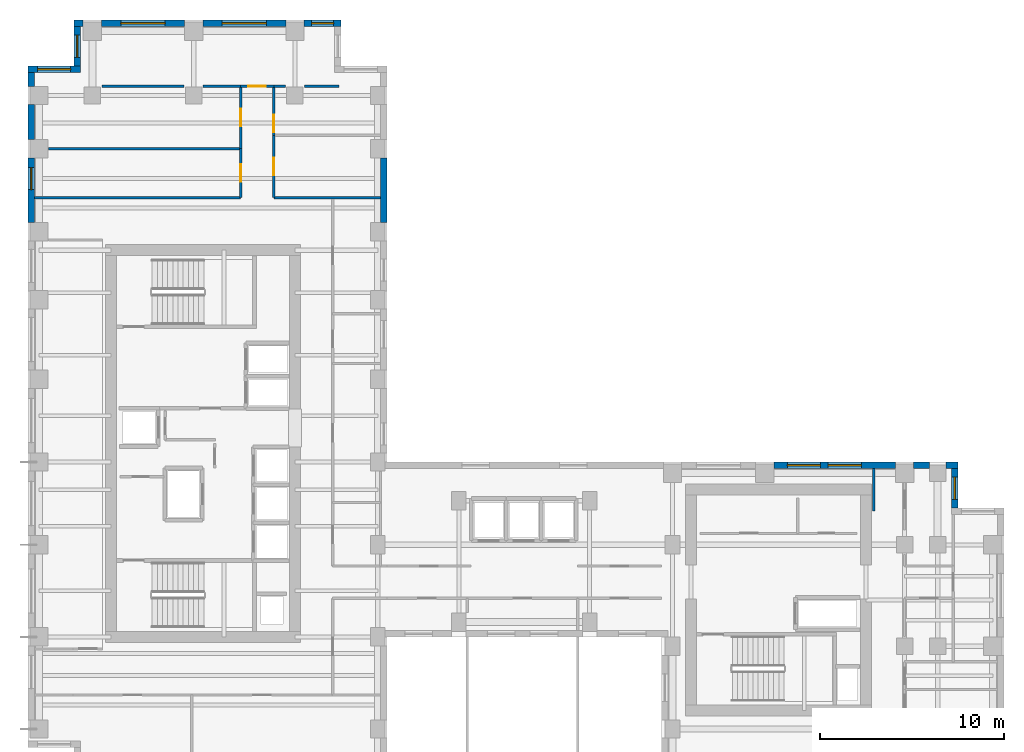
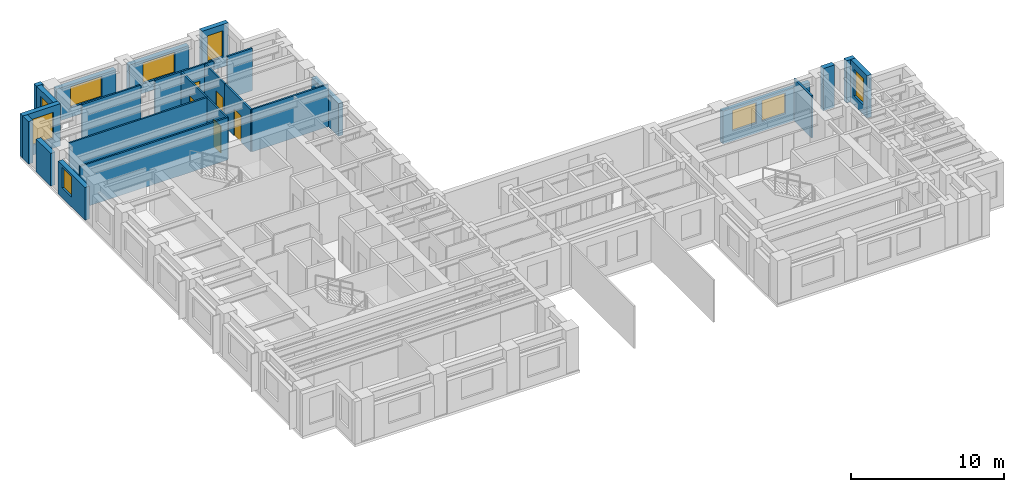
# One storey, part 8 of 11: 27 walls, 9 windows, 5 doors, 14 openings.
"""IFC4 building model written with IfcOpenShell, lengths in metres."""

from ifc_helpers import new_model, si_unit, direction, frame, frame_2d, origin, place, context, subcontext, project, spatial, rectangle, extrude, source, transform, mapped, material, layer, layer_set, type_object, element, fill, save


model = new_model("IFC4")

# Units and contexts
model_context = context("Model", 3, precision=1e-05, world=origin(), true_north=direction((0.0, 1.0)))
body_context = subcontext(model_context, "Body", "Model", "MODEL_VIEW")
ifc_project = project(units=[si_unit("LENGTHUNIT", "METRE"), si_unit("AREAUNIT", "SQUARE_METRE"), si_unit("VOLUMEUNIT", "CUBIC_METRE"), si_unit("PLANEANGLEUNIT", "RADIAN"), si_unit("MASSUNIT", "GRAM", prefix="KILO")], contexts=[model_context])

# Site, building, storey
site_placement = place(None, origin())
site = spatial("IfcSite", under=ifc_project, at=site_placement, CompositionType="ELEMENT")
building_placement = place(site_placement, origin())
building = spatial("IfcBuilding", under=site, at=building_placement, Name="Kharzan Plaza Tower", CompositionType="ELEMENT")
storey_placement = place(building_placement, frame((0.0, 0.0, 186.300048828125)))
storey = spatial("IfcBuildingStorey", under=building, at=storey_placement, Name="L50", CompositionType="ELEMENT", Elevation=186.300048828125)

# Wall, opening, window
ifc_material_1 = material(Name="Concrete C40/50", Category="concrete")
ifc_layer_1 = layer(ifc_material_1, 0.35009765625)
ifc_layer_set_1 = layer_set([ifc_layer_1], Name="Concrete C40/50")
wall_type_1 = type_object("IfcWallType", Name="WL-EXT-MAS-Z3", PredefinedType="SOLIDWALL", material=ifc_layer_set_1)
wall_1_placement = place(storey_placement, frame((17.0, 41.824951171875, 0.0), z_axis=(0.0, 0.0, 1.0), x_axis=(-1.0, 0.0, 0.0)))
wall_1 = element("IfcWall", 1, at=wall_1_placement, inside=storey, type_object=wall_type_1, Name="L50 Masonry-Frame Exterior Wall 03", PredefinedType="SOLIDWALL", context=body_context, shape_type="SweptSolid", body=[
    extrude(rectangle(XDim=2.001953125, YDim=0.35009765625, at=frame_2d((1.0009765625, 0.0))), origin(), (0.0, 0.0, 1.0), 3.385009765625),
])
opening_1_placement = place(wall_1_placement, frame((0.40087890625, 0.0, 0.780029296875)))
opening_1 = element("IfcOpeningElement", 2, at=opening_1_placement, cuts=wall_1, Name="Opening W3", PredefinedType="OPENING", context=body_context, shape_type="SweptSolid", body=[
    extrude(rectangle(XDim=1.199951171875, YDim=2.10009765625, at=frame_2d((0.60009765625, 1.050048828125))), frame((0.0, 0.18505859375, 0.0), z_axis=(0.0, -1.0, 0.0), x_axis=(1.0, 0.0, 0.0)), (0.0, 0.0, 1.0), 0.3701171875),
])
ifc_material_2 = material(Name="Low-E Double Glazing", Category="glass")
window_type_1 = type_object("IfcWindowType", Name="WN-REC-1200x2100", PartitioningType="SINGLE_PANEL", PredefinedType="WINDOW", material=ifc_material_2)
shared_shape_1 = source(origin(), body_context, "Body", "SweptSolid", [
    extrude(rectangle(XDim=1.199951171875, YDim=2.10009765625, at=frame_2d((0.60009765625, 1.050048828125))), frame((0.0, 0.030029296875, 0.0), z_axis=(0.0, -1.0, 0.0), x_axis=(1.0, 0.0, 0.0)), (0.0, 0.0, 1.0), 0.06005859375),
])
window_1_placement = place(opening_1_placement, origin())
window_1 = element("IfcWindow", 3, at=window_1_placement, inside=storey, type_object=window_type_1, Name="L50 Recessed Solar-Control Window 03-1", OverallHeight=2.10009765625, OverallWidth=1.199951171875, PartitioningType="SINGLE_PANEL", PredefinedType="WINDOW", context=body_context, shape_type="MappedRepresentation", body=[
    mapped(shared_shape_1, transform((0.0, 0.0, 0.0), x_axis=(1.0, 0.0, 0.0), y_axis=(0.0, 1.0, 0.0), z_axis=(0.0, 0.0, 1.0))),
])
fill(opening_1, window_1)

wall_2_placement = place(storey_placement, frame((14.001953125, 41.824951171875, 0.0), z_axis=(0.0, 0.0, 1.0), x_axis=(-1.0, 0.0, 0.0)))
wall_2 = element("IfcWall", 4, at=wall_2_placement, inside=storey, type_object=wall_type_1, Name="L50 Masonry-Frame Exterior Wall 04", PredefinedType="SOLIDWALL", context=body_context, shape_type="SweptSolid", body=[
    extrude(rectangle(XDim=4.50390625, YDim=0.35009765625, at=frame_2d((2.251953125, 0.0))), origin(), (0.0, 0.0, 1.0), 2.612060546875),
])
opening_2_placement = place(wall_2_placement, frame((1.052001953125, 0.0, 0.780029296875)))
opening_2 = element("IfcOpeningElement", 5, at=opening_2_placement, cuts=wall_2, Name="Opening W2", PredefinedType="OPENING", context=body_context, shape_type="SweptSolid", body=[
    extrude(rectangle(XDim=2.39990234375, YDim=1.652099609375, at=frame_2d((1.199951171875, 0.826171875))), frame((0.0, 0.18505859375, 0.0), z_axis=(0.0, -1.0, 0.0), x_axis=(1.0, 0.0, 0.0)), (0.0, 0.0, 1.0), 0.3701171875),
])
window_type_2 = type_object("IfcWindowType", Name="WN-REC-2400x2100", PartitioningType="SINGLE_PANEL", PredefinedType="WINDOW", material=ifc_material_2)
shared_shape_2 = source(origin(), body_context, "Body", "SweptSolid", [
    extrude(rectangle(XDim=2.39990234375, YDim=1.652099609375, at=frame_2d((1.199951171875, 0.826171875))), frame((0.0, 0.030029296875, 0.0), z_axis=(0.0, -1.0, 0.0), x_axis=(1.0, 0.0, 0.0)), (0.0, 0.0, 1.0), 0.06005859375),
])
window_2_placement = place(opening_2_placement, origin())
window_2 = element("IfcWindow", 6, at=window_2_placement, inside=storey, type_object=window_type_2, Name="L50 Wide Recessed Solar-Control Window 04-1", OverallHeight=1.652099609375, OverallWidth=2.39990234375, PartitioningType="SINGLE_PANEL", PredefinedType="WINDOW", context=body_context, shape_type="MappedRepresentation", body=[
    mapped(shared_shape_2, transform((0.0, 0.0, 0.0), x_axis=(1.0, 0.0, 0.0), y_axis=(0.0, 1.0, 0.0), z_axis=(0.0, 0.0, 1.0))),
])
fill(opening_2, window_2)

wall_3_placement = place(storey_placement, frame((8.501953125, 41.824951171875, 0.0), z_axis=(0.0, 0.0, 1.0), x_axis=(-1.0, 0.0, 0.0)))
wall_3 = element("IfcWall", 7, at=wall_3_placement, inside=storey, type_object=wall_type_1, Name="L50 Masonry-Frame Exterior Wall 05", PredefinedType="SOLIDWALL", context=body_context, shape_type="SweptSolid", body=[
    extrude(rectangle(XDim=4.50390625, YDim=0.35009765625, at=frame_2d((2.251953125, 0.0))), origin(), (0.0, 0.0, 1.0), 2.612060546875),
])
opening_3_placement = place(wall_3_placement, frame((1.052001953125, 0.0, 0.780029296875)))
opening_3 = element("IfcOpeningElement", 8, at=opening_3_placement, cuts=wall_3, Name="Opening W2", PredefinedType="OPENING", context=body_context, shape_type="SweptSolid", body=[
    extrude(rectangle(XDim=2.39990234375, YDim=1.652099609375, at=frame_2d((1.199951171875, 0.826171875))), frame((0.0, 0.18505859375, 0.0), z_axis=(0.0, -1.0, 0.0), x_axis=(1.0, 0.0, 0.0)), (0.0, 0.0, 1.0), 0.3701171875),
])
window_3_placement = place(opening_3_placement, origin())
window_3 = element("IfcWindow", 9, at=window_3_placement, inside=storey, type_object=window_type_2, Name="L50 Wide Recessed Solar-Control Window 05-1", OverallHeight=1.652099609375, OverallWidth=2.39990234375, PartitioningType="SINGLE_PANEL", PredefinedType="WINDOW", context=body_context, shape_type="MappedRepresentation", body=[
    mapped(shared_shape_2, transform((0.0, 0.0, 0.0), x_axis=(1.0, 0.0, 0.0), y_axis=(0.0, 1.0, 0.0), z_axis=(0.0, 0.0, 1.0))),
])
fill(opening_3, window_3)

wall_4_placement = place(storey_placement, frame((2.675048828125, 41.652099609375, 0.0), z_axis=(0.0, 0.0, 1.0), x_axis=(0.0, -1.0, 0.0)))
wall_4 = element("IfcWall", 10, at=wall_4_placement, inside=storey, type_object=wall_type_1, Name="L50 Masonry-Frame Exterior Wall 07", PredefinedType="SOLIDWALL", context=body_context, shape_type="SweptSolid", body=[
    extrude(rectangle(XDim=2.154052734375, YDim=0.35009765625, at=frame_2d((1.0771484375, 0.0))), origin(), (0.0, 0.0, 1.0), 3.385009765625),
])
opening_4_placement = place(wall_4_placement, frame((0.47705078125, 0.0, 0.780029296875)))
opening_4 = element("IfcOpeningElement", 11, at=opening_4_placement, cuts=wall_4, Name="Opening W3", PredefinedType="OPENING", context=body_context, shape_type="SweptSolid", body=[
    extrude(rectangle(XDim=1.199951171875, YDim=2.10009765625, at=frame_2d((0.60009765625, 1.050048828125))), frame((0.0, 0.18505859375, 0.0), z_axis=(0.0, -1.0, 0.0), x_axis=(1.0, 0.0, 0.0)), (0.0, 0.0, 1.0), 0.3701171875),
])
window_4_placement = place(opening_4_placement, origin())
window_4 = element("IfcWindow", 12, at=window_4_placement, inside=storey, type_object=window_type_1, Name="L50 Recessed Solar-Control Window 07-1", OverallHeight=2.10009765625, OverallWidth=1.199951171875, PartitioningType="SINGLE_PANEL", PredefinedType="WINDOW", context=body_context, shape_type="MappedRepresentation", body=[
    mapped(shared_shape_1, transform((0.0, 0.0, 0.0), x_axis=(1.0, 0.0, 0.0), y_axis=(0.0, 1.0, 0.0), z_axis=(0.0, 0.0, 1.0))),
])
fill(opening_4, window_4)

wall_5_placement = place(storey_placement, frame((2.85009765625, 39.324951171875, 0.0), z_axis=(0.0, 0.0, 1.0), x_axis=(-1.0, 0.0, 0.0)))
wall_5 = element("IfcWall", 13, at=wall_5_placement, inside=storey, type_object=wall_type_1, Name="L50 Masonry-Frame Exterior Wall 08", PredefinedType="SOLIDWALL", context=body_context, shape_type="SweptSolid", body=[
    extrude(rectangle(XDim=2.85009765625, YDim=0.35009765625, at=frame_2d((1.425048828125, 0.0))), origin(), (0.0, 0.0, 1.0), 3.385009765625),
])
opening_5_placement = place(wall_5_placement, frame((0.52490234375, 0.0, 0.780029296875)))
opening_5 = element("IfcOpeningElement", 14, at=opening_5_placement, cuts=wall_5, Name="Opening W1", PredefinedType="OPENING", context=body_context, shape_type="SweptSolid", body=[
    extrude(rectangle(XDim=1.800048828125, YDim=2.10009765625, at=frame_2d((0.89990234375, 1.050048828125))), frame((0.0, 0.18505859375, 0.0), z_axis=(0.0, -1.0, 0.0), x_axis=(1.0, 0.0, 0.0)), (0.0, 0.0, 1.0), 0.3701171875),
])
window_type_3 = type_object("IfcWindowType", Name="WN-REC-1800x2100", PartitioningType="SINGLE_PANEL", PredefinedType="WINDOW", material=ifc_material_2)
shared_shape_3 = source(origin(), body_context, "Body", "SweptSolid", [
    extrude(rectangle(XDim=1.800048828125, YDim=2.10009765625, at=frame_2d((0.89990234375, 1.050048828125))), frame((0.0, 0.030029296875, 0.0), z_axis=(0.0, -1.0, 0.0), x_axis=(1.0, 0.0, 0.0)), (0.0, 0.0, 1.0), 0.06005859375),
])
window_5_placement = place(opening_5_placement, origin())
window_5 = element("IfcWindow", 15, at=window_5_placement, inside=storey, type_object=window_type_3, Name="L50 Recessed Solar-Control Window 08-1", OverallHeight=2.10009765625, OverallWidth=1.800048828125, PartitioningType="SINGLE_PANEL", PredefinedType="WINDOW", context=body_context, shape_type="MappedRepresentation", body=[
    mapped(shared_shape_3, transform((0.0, 0.0, 0.0), x_axis=(1.0, 0.0, 0.0), y_axis=(0.0, 1.0, 0.0), z_axis=(0.0, 0.0, 1.0))),
])
fill(opening_5, window_5)

wall_6_placement = place(storey_placement, frame((0.175048828125, 34.501953125, 0.0), z_axis=(0.0, 0.0, 1.0), x_axis=(0.0, -1.0, 0.0)))
wall_6 = element("IfcWall", 16, at=wall_6_placement, inside=storey, type_object=wall_type_1, Name="L50 Masonry-Frame Exterior Wall 11", PredefinedType="SOLIDWALL", context=body_context, shape_type="SweptSolid", body=[
    extrude(rectangle(XDim=3.50390625, YDim=0.35009765625, at=frame_2d((1.751953125, 0.0))), origin(), (0.0, 0.0, 1.0), 2.612060546875),
])
opening_6_placement = place(wall_6_placement, frame((0.510986328125, 0.0, 0.780029296875)))
opening_6 = element("IfcOpeningElement", 17, at=opening_6_placement, cuts=wall_6, Name="Opening W3", PredefinedType="OPENING", context=body_context, shape_type="SweptSolid", body=[
    extrude(rectangle(XDim=1.199951171875, YDim=1.652099609375, at=frame_2d((0.60009765625, 0.826171875))), frame((0.0, 0.18505859375, 0.0), z_axis=(0.0, -1.0, 0.0), x_axis=(1.0, 0.0, 0.0)), (0.0, 0.0, 1.0), 0.3701171875),
])
shared_shape_4 = source(origin(), body_context, "Body", "SweptSolid", [
    extrude(rectangle(XDim=1.199951171875, YDim=1.652099609375, at=frame_2d((0.60009765625, 0.826171875))), frame((0.0, 0.030029296875, 0.0), z_axis=(0.0, -1.0, 0.0), x_axis=(1.0, 0.0, 0.0)), (0.0, 0.0, 1.0), 0.06005859375),
])
window_6_placement = place(opening_6_placement, origin())
window_6 = element("IfcWindow", 18, at=window_6_placement, inside=storey, type_object=window_type_1, Name="L50 Recessed Solar-Control Window 11-1", OverallHeight=1.652099609375, OverallWidth=1.199951171875, PartitioningType="SINGLE_PANEL", PredefinedType="WINDOW", context=body_context, shape_type="MappedRepresentation", body=[
    mapped(shared_shape_4, transform((0.0, 0.0, 0.0), x_axis=(1.0, 0.0, 0.0), y_axis=(0.0, 1.0, 0.0), z_axis=(0.0, 0.0, 1.0))),
])
fill(opening_6, window_6)

wall_7_placement = place(storey_placement, frame((50.324951171875, 15.498046875, 0.0), z_axis=(0.0, 0.0, 1.0), x_axis=(0.0, 1.0, 0.0)))
wall_7 = element("IfcWall", 19, at=wall_7_placement, inside=storey, type_object=wall_type_1, Name="L50 Masonry-Frame Exterior Wall 41", PredefinedType="SOLIDWALL", context=body_context, shape_type="SweptSolid", body=[
    extrude(rectangle(XDim=2.154052734375, YDim=0.35009765625, at=frame_2d((1.0771484375, 0.0))), origin(), (0.0, 0.0, 1.0), 3.385009765625),
])
opening_7_placement = place(wall_7_placement, frame((0.47705078125, 0.0, 0.780029296875)))
opening_7 = element("IfcOpeningElement", 20, at=opening_7_placement, cuts=wall_7, Name="Opening W3", PredefinedType="OPENING", context=body_context, shape_type="SweptSolid", body=[
    extrude(rectangle(XDim=1.199951171875, YDim=2.10009765625, at=frame_2d((0.60009765625, 1.050048828125))), frame((0.0, 0.18505859375, 0.0), z_axis=(0.0, -1.0, 0.0), x_axis=(1.0, 0.0, 0.0)), (0.0, 0.0, 1.0), 0.3701171875),
])
window_7_placement = place(opening_7_placement, origin())
window_7 = element("IfcWindow", 21, at=window_7_placement, inside=storey, type_object=window_type_1, Name="L50 Recessed Solar-Control Window 41-1", OverallHeight=2.10009765625, OverallWidth=1.199951171875, PartitioningType="SINGLE_PANEL", PredefinedType="WINDOW", context=body_context, shape_type="MappedRepresentation", body=[
    mapped(shared_shape_1, transform((0.0, 0.0, 0.0), x_axis=(1.0, 0.0, 0.0), y_axis=(0.0, 1.0, 0.0), z_axis=(0.0, 0.0, 1.0))),
])
fill(opening_7, window_7)

# Wall, openings, windows
wall_8_placement = place(storey_placement, frame((47.10205078125, 17.824951171875, 0.0), z_axis=(0.0, 0.0, 1.0), x_axis=(-1.0, 0.0, 0.0)))
wall_8 = element("IfcWall", 22, at=wall_8_placement, inside=storey, type_object=wall_type_1, Name="L50 Masonry-Frame Exterior Wall 44", PredefinedType="SOLIDWALL", context=body_context, shape_type="SweptSolid", body=[
    extrude(rectangle(XDim=6.60400390625, YDim=0.35009765625, at=frame_2d((3.302001953125, 0.0))), origin(), (0.0, 0.0, 1.0), 2.612060546875),
])
opening_8_placement = place(wall_8_placement, frame((1.849365234375, 0.0, 0.780029296875)))
opening_8 = element("IfcOpeningElement", 23, at=opening_8_placement, cuts=wall_8, Name="Opening W1", PredefinedType="OPENING", context=body_context, shape_type="SweptSolid", body=[
    extrude(rectangle(XDim=1.800048828125, YDim=1.652099609375, at=frame_2d((0.89990234375, 0.826171875))), frame((0.0, 0.18505859375, 0.0), z_axis=(0.0, -1.0, 0.0), x_axis=(1.0, 0.0, 0.0)), (0.0, 0.0, 1.0), 0.3701171875),
])
opening_9_placement = place(wall_8_placement, frame((4.066650390625, 0.0, 0.780029296875)))
opening_9 = element("IfcOpeningElement", 24, at=opening_9_placement, cuts=wall_8, Name="Opening W1", PredefinedType="OPENING", context=body_context, shape_type="SweptSolid", body=[
    extrude(rectangle(XDim=1.800048828125, YDim=1.652099609375, at=frame_2d((0.89990234375, 0.826171875))), frame((0.0, 0.18505859375, 0.0), z_axis=(0.0, -1.0, 0.0), x_axis=(1.0, 0.0, 0.0)), (0.0, 0.0, 1.0), 0.3701171875),
])
shared_shape_5 = source(origin(), body_context, "Body", "SweptSolid", [
    extrude(rectangle(XDim=1.800048828125, YDim=1.652099609375, at=frame_2d((0.89990234375, 0.826171875))), frame((0.0, 0.030029296875, 0.0), z_axis=(0.0, -1.0, 0.0), x_axis=(1.0, 0.0, 0.0)), (0.0, 0.0, 1.0), 0.06005859375),
])
window_8_placement = place(opening_8_placement, origin())
window_8 = element("IfcWindow", 25, at=window_8_placement, inside=storey, type_object=window_type_3, Name="L50 Recessed Solar-Control Window 44-1", OverallHeight=1.652099609375, OverallWidth=1.800048828125, PartitioningType="SINGLE_PANEL", PredefinedType="WINDOW", context=body_context, shape_type="MappedRepresentation", body=[
    mapped(shared_shape_5, transform((0.0, 0.0, 0.0), x_axis=(1.0, 0.0, 0.0), y_axis=(0.0, 1.0, 0.0), z_axis=(0.0, 0.0, 1.0))),
])
fill(opening_8, window_8)
window_9_placement = place(opening_9_placement, origin())
window_9 = element("IfcWindow", 26, at=window_9_placement, inside=storey, type_object=window_type_3, Name="L50 Recessed Solar-Control Window 44-2", OverallHeight=1.652099609375, OverallWidth=1.800048828125, PartitioningType="SINGLE_PANEL", PredefinedType="WINDOW", context=body_context, shape_type="MappedRepresentation", body=[
    mapped(shared_shape_5, transform((0.0, 0.0, 0.0), x_axis=(1.0, 0.0, 0.0), y_axis=(0.0, 1.0, 0.0), z_axis=(0.0, 0.0, 1.0))),
])
fill(opening_9, window_9)

# Wall, opening, door
ifc_material_3 = material(Name="Fire-Rated Gypsum Board Partition", Category="gypsum")
ifc_layer_2 = layer(ifc_material_3, 0.125)
ifc_layer_set_2 = layer_set([ifc_layer_2], Name="Fire-Rated Gypsum Board Partition")
wall_type_2 = type_object("IfcWallType", Name="WL-INT-PART-125", PredefinedType="PARTITIONING", material=ifc_layer_set_2)
wall_9_placement = place(storey_placement, frame((13.35009765625, 32.35009765625, 0.0), z_axis=(0.0, 0.0, 1.0), x_axis=(0.0, 1.0, 0.0)))
wall_9 = element("IfcWall", 27, at=wall_9_placement, inside=storey, type_object=wall_type_2, Name="L50 Interior Partition SH-SPE-1", PredefinedType="PARTITIONING", context=body_context, shape_type="SweptSolid", body=[
    extrude(rectangle(XDim=3.387939453125, YDim=0.125, at=frame_2d((1.69384765625, 0.0))), origin(), (0.0, 0.0, 1.0), 3.385009765625),
])
opening_10_placement = place(wall_9_placement, frame((1.218994140625, 0.0, 0.0)))
opening_10 = element("IfcOpeningElement", 28, at=opening_10_placement, cuts=wall_9, Name="Opening OD1", PredefinedType="OPENING", context=body_context, shape_type="SweptSolid", body=[
    extrude(rectangle(XDim=0.949951171875, YDim=2.14990234375, at=frame_2d((0.47509765625, 1.074951171875))), frame((0.0, 0.072509765625, 0.0), z_axis=(0.0, -1.0, 0.0), x_axis=(1.0, 0.0, 0.0)), (0.0, 0.0, 1.0), 0.14501953125),
])
ifc_material_4 = material(Name="Acoustic Solid-Core Stained Oak", Category="timber")
door_type = type_object("IfcDoorType", Name="DR-OFF-SINGLE", OperationType="NOTDEFINED", PredefinedType="DOOR", material=ifc_material_4)
shared_shape_6 = source(origin(), body_context, "Body", "SweptSolid", [
    extrude(rectangle(XDim=0.949951171875, YDim=2.14990234375, at=frame_2d((0.47509765625, 1.074951171875))), frame((0.0, 0.02490234375, 0.0), z_axis=(0.0, -1.0, 0.0), x_axis=(1.0, 0.0, 0.0)), (0.0, 0.0, 1.0), 0.050048828125),
])
door_1_placement = place(opening_10_placement, origin())
door_1 = element("IfcDoor", 29, at=door_1_placement, inside=storey, type_object=door_type, Name="L50 Instrumentation Calibration Lab Door", OperationType="SINGLE_SWING_LEFT", OverallHeight=2.14990234375, OverallWidth=0.949951171875, PredefinedType="DOOR", context=body_context, shape_type="MappedRepresentation", body=[
    mapped(shared_shape_6, transform((0.0, 0.0, 0.0), x_axis=(1.0, 0.0, 0.0), y_axis=(0.0, 1.0, 0.0), z_axis=(0.0, 0.0, 1.0))),
])
fill(opening_10, door_1)

wall_10_placement = place(storey_placement, frame((13.35009765625, 35.738037109375, 0.0), z_axis=(0.0, 0.0, 1.0), x_axis=(0.0, 1.0, 0.0)))
wall_10 = element("IfcWall", 30, at=wall_10_placement, inside=storey, type_object=wall_type_2, Name="L50 Interior Partition SH-SPE-2", PredefinedType="PARTITIONING", context=body_context, shape_type="SweptSolid", body=[
    extrude(rectangle(XDim=2.661865234375, YDim=0.125, at=frame_2d((1.3310546875, 0.0))), origin(), (0.0, 0.0, 1.0), 3.385009765625),
])
opening_11_placement = place(wall_10_placement, frame((0.179931640625, 0.0, 0.0)))
opening_11 = element("IfcOpeningElement", 31, at=opening_11_placement, cuts=wall_10, Name="Opening OD1", PredefinedType="OPENING", context=body_context, shape_type="SweptSolid", body=[
    extrude(rectangle(XDim=0.949951171875, YDim=2.14990234375, at=frame_2d((0.47509765625, 1.074951171875))), frame((0.0, 0.072509765625, 0.0), z_axis=(0.0, -1.0, 0.0), x_axis=(1.0, 0.0, 0.0)), (0.0, 0.0, 1.0), 0.14501953125),
])
door_2_placement = place(opening_11_placement, origin())
door_2 = element("IfcDoor", 32, at=door_2_placement, inside=storey, type_object=door_type, Name="L50 Research Engineering Office Door", OperationType="SINGLE_SWING_LEFT", OverallHeight=2.14990234375, OverallWidth=0.949951171875, PredefinedType="DOOR", context=body_context, shape_type="MappedRepresentation", body=[
    mapped(shared_shape_6, transform((0.0, 0.0, 0.0), x_axis=(1.0, 0.0, 0.0), y_axis=(0.0, 1.0, 0.0), z_axis=(0.0, 0.0, 1.0))),
])
fill(opening_11, door_2)

wall_11_placement = place(storey_placement, frame((11.550048828125, 38.39990234375, 0.0), z_axis=(0.0, 0.0, 1.0), x_axis=(1.0, 0.0, 0.0)))
wall_11 = element("IfcWall", 33, at=wall_11_placement, inside=storey, type_object=wall_type_2, Name="L50 Interior Partition SH-SPHD", PredefinedType="PARTITIONING", context=body_context, shape_type="SweptSolid", body=[
    extrude(rectangle(XDim=1.800048828125, YDim=0.125, at=frame_2d((0.89990234375, 0.0))), origin(), (0.0, 0.0, 1.0), 3.385009765625),
])
opening_12_placement = place(wall_11_placement, frame((0.425048828125, 0.0, 0.0)))
opening_12 = element("IfcOpeningElement", 34, at=opening_12_placement, cuts=wall_11, Name="Opening OD1", PredefinedType="OPENING", context=body_context, shape_type="SweptSolid", body=[
    extrude(rectangle(XDim=0.949951171875, YDim=2.14990234375, at=frame_2d((0.47509765625, 1.074951171875))), frame((0.0, 0.072509765625, 0.0), z_axis=(0.0, -1.0, 0.0), x_axis=(1.0, 0.0, 0.0)), (0.0, 0.0, 1.0), 0.14501953125),
])
door_3_placement = place(opening_12_placement, origin())
door_3 = element("IfcDoor", 35, at=door_3_placement, inside=storey, type_object=door_type, Name="L50 North Boardroom Door", OperationType="SINGLE_SWING_LEFT", OverallHeight=2.14990234375, OverallWidth=0.949951171875, PredefinedType="DOOR", context=body_context, shape_type="MappedRepresentation", body=[
    mapped(shared_shape_6, transform((0.0, 0.0, 0.0), x_axis=(1.0, 0.0, 0.0), y_axis=(0.0, 1.0, 0.0), z_axis=(0.0, 0.0, 1.0))),
])
fill(opening_12, door_3)

wall_12_placement = place(storey_placement, frame((11.550048828125, 32.35009765625, 0.0), z_axis=(0.0, 0.0, 1.0), x_axis=(0.0, 1.0, 0.0)))
wall_12 = element("IfcWall", 36, at=wall_12_placement, inside=storey, type_object=wall_type_2, Name="L50 Interior Partition SH-SPW-1", PredefinedType="PARTITIONING", context=body_context, shape_type="SweptSolid", body=[
    extrude(rectangle(XDim=2.661865234375, YDim=0.125, at=frame_2d((1.3310546875, 0.0))), origin(), (0.0, 0.0, 1.0), 3.385009765625),
])
opening_13_placement = place(wall_12_placement, frame((0.85595703125, 0.0, 0.0)))
opening_13 = element("IfcOpeningElement", 37, at=opening_13_placement, cuts=wall_12, Name="Opening OD1", PredefinedType="OPENING", context=body_context, shape_type="SweptSolid", body=[
    extrude(rectangle(XDim=0.949951171875, YDim=2.14990234375, at=frame_2d((0.47509765625, 1.074951171875))), frame((0.0, 0.072509765625, 0.0), z_axis=(0.0, -1.0, 0.0), x_axis=(1.0, 0.0, 0.0)), (0.0, 0.0, 1.0), 0.14501953125),
])
door_4_placement = place(opening_13_placement, origin())
door_4 = element("IfcDoor", 38, at=door_4_placement, inside=storey, type_object=door_type, Name="L50 Hydrodynamics Computing Lab Door", OperationType="SINGLE_SWING_LEFT", OverallHeight=2.14990234375, OverallWidth=0.949951171875, PredefinedType="DOOR", context=body_context, shape_type="MappedRepresentation", body=[
    mapped(shared_shape_6, transform((0.0, 0.0, 0.0), x_axis=(1.0, 0.0, 0.0), y_axis=(0.0, 1.0, 0.0), z_axis=(0.0, 0.0, 1.0))),
])
fill(opening_13, door_4)

wall_13_placement = place(storey_placement, frame((11.550048828125, 35.011962890625, 0.0), z_axis=(0.0, 0.0, 1.0), x_axis=(0.0, 1.0, 0.0)))
wall_13 = element("IfcWall", 39, at=wall_13_placement, inside=storey, type_object=wall_type_2, Name="L50 Interior Partition SH-SPW-2", PredefinedType="PARTITIONING", context=body_context, shape_type="SweptSolid", body=[
    extrude(rectangle(XDim=3.387939453125, YDim=0.125, at=frame_2d((1.69384765625, 0.0))), origin(), (0.0, 0.0, 1.0), 3.385009765625),
])
opening_14_placement = place(wall_13_placement, frame((1.218994140625, 0.0, 0.0)))
opening_14 = element("IfcOpeningElement", 40, at=opening_14_placement, cuts=wall_13, Name="Opening OD1", PredefinedType="OPENING", context=body_context, shape_type="SweptSolid", body=[
    extrude(rectangle(XDim=0.949951171875, YDim=2.14990234375, at=frame_2d((0.47509765625, 1.074951171875))), frame((0.0, 0.072509765625, 0.0), z_axis=(0.0, -1.0, 0.0), x_axis=(1.0, 0.0, 0.0)), (0.0, 0.0, 1.0), 0.14501953125),
])
door_5_placement = place(opening_14_placement, origin())
door_5 = element("IfcDoor", 41, at=door_5_placement, inside=storey, type_object=door_type, Name="L50 Hydrodynamics Computing Lab Door", OperationType="SINGLE_SWING_RIGHT", OverallHeight=2.14990234375, OverallWidth=0.949951171875, PredefinedType="DOOR", context=body_context, shape_type="MappedRepresentation", body=[
    mapped(shared_shape_6, transform((0.0, 0.0, 0.0), x_axis=(1.0, 0.0, 0.0), y_axis=(0.0, 1.0, 0.0), z_axis=(0.0, 0.0, 1.0))),
])
fill(opening_14, door_5)

# Walls
shared_shape_7 = source(origin(), body_context, "Body", "SweptSolid", [
    extrude(rectangle(XDim=0.501953125, YDim=0.35009765625, at=frame_2d((0.2509765625, 0.0))), origin(), (0.0, 0.0, 1.0), 3.385009765625),
])
wall_14_placement = place(storey_placement, frame((3.001953125, 41.824951171875, 0.0), z_axis=(0.0, 0.0, 1.0), x_axis=(-1.0, 0.0, 0.0)))
element("IfcWall", 42, at=wall_14_placement, inside=storey, type_object=wall_type_1, Name="L50 Masonry-Frame Exterior Wall 06", PredefinedType="SOLIDWALL", context=body_context, shape_type="MappedRepresentation", body=[
    mapped(shared_shape_7, transform((0.0, 0.0, 0.0), x_axis=(1.0, 0.0, 0.0), y_axis=(0.0, 1.0, 0.0), z_axis=(0.0, 0.0, 1.0))),
])
shared_shape_8 = source(origin(), body_context, "Body", "SweptSolid", [
    extrude(rectangle(XDim=0.754150390625, YDim=0.35009765625, at=frame_2d((0.376953125, 0.0))), origin(), (0.0, 0.0, 1.0), 3.385009765625),
])
wall_15_placement = place(storey_placement, frame((0.175048828125, 39.152099609375, 0.0), z_axis=(0.0, 0.0, 1.0), x_axis=(0.0, -1.0, 0.0)))
element("IfcWall", 43, at=wall_15_placement, inside=storey, type_object=wall_type_1, Name="L50 Masonry-Frame Exterior Wall 09", PredefinedType="SOLIDWALL", context=body_context, shape_type="MappedRepresentation", body=[
    mapped(shared_shape_8, transform((0.0, 0.0, 0.0), x_axis=(1.0, 0.0, 0.0), y_axis=(0.0, 1.0, 0.0), z_axis=(0.0, 0.0, 1.0))),
])
shared_shape_9 = source(origin(), body_context, "Body", "SweptSolid", [
    extrude(rectangle(XDim=0.652099609375, YDim=0.35009765625, at=frame_2d((0.326171875, 0.0))), origin(), (0.0, 0.0, 1.0), 3.385009765625),
])
wall_16_placement = place(storey_placement, frame((50.5, 17.824951171875, 0.0), z_axis=(0.0, 0.0, 1.0), x_axis=(-1.0, 0.0, 0.0)))
element("IfcWall", 44, at=wall_16_placement, inside=storey, type_object=wall_type_1, Name="L50 Masonry-Frame Exterior Wall 42", PredefinedType="SOLIDWALL", context=body_context, shape_type="MappedRepresentation", body=[
    mapped(shared_shape_9, transform((0.0, 0.0, 0.0), x_axis=(1.0, 0.0, 0.0), y_axis=(0.0, 1.0, 0.0), z_axis=(0.0, 0.0, 1.0))),
])
shared_shape_10 = source(origin(), body_context, "Body", "SweptSolid", [
    extrude(rectangle(XDim=0.85400390625, YDim=0.35009765625, at=frame_2d((0.427001953125, 0.0))), origin(), (0.0, 0.0, 1.0), 3.385009765625),
])
wall_17_placement = place(storey_placement, frame((48.951904296875, 17.824951171875, 0.0), z_axis=(0.0, 0.0, 1.0), x_axis=(-1.0, 0.0, 0.0)))
element("IfcWall", 45, at=wall_17_placement, inside=storey, type_object=wall_type_1, Name="L50 Masonry-Frame Exterior Wall 43", PredefinedType="SOLIDWALL", context=body_context, shape_type="MappedRepresentation", body=[
    mapped(shared_shape_10, transform((0.0, 0.0, 0.0), x_axis=(1.0, 0.0, 0.0), y_axis=(0.0, 1.0, 0.0), z_axis=(0.0, 0.0, 1.0))),
])
shared_shape_11 = source(origin(), body_context, "Body", "SweptSolid", [
    extrude(rectangle(XDim=2.2978515625, YDim=0.125, at=frame_2d((1.14892578125, 0.0))), origin(), (0.0, 0.0, 1.0), 3.385009765625),
])
wall_18_placement = place(storey_placement, frame((45.919921875, 15.35009765625, 0.0), z_axis=(0.0, 0.0, 1.0), x_axis=(0.0, 1.0, 0.0)))
element("IfcWall", 46, at=wall_18_placement, inside=storey, type_object=wall_type_2, Name="L50 Interior Partition SH-RBNE0", PredefinedType="PARTITIONING", context=body_context, shape_type="MappedRepresentation", body=[
    mapped(shared_shape_11, transform((0.0, 0.0, 0.0), x_axis=(1.0, 0.0, 0.0), y_axis=(0.0, 1.0, 0.0), z_axis=(0.0, 0.0, 1.0))),
])
shared_shape_12 = source(origin(), body_context, "Body", "SweptSolid", [
    extrude(rectangle(XDim=1.904052734375, YDim=0.35009765625, at=frame_2d((0.9521484375, 0.0))), origin(), (0.0, 0.0, 1.0), 2.612060546875),
])
wall_19_placement = place(storey_placement, frame((0.175048828125, 37.402099609375, 0.0), z_axis=(0.0, 0.0, 1.0), x_axis=(0.0, -1.0, 0.0)))
element("IfcWall", 47, at=wall_19_placement, inside=storey, type_object=wall_type_1, Name="L50 Masonry-Frame Exterior Wall 10", PredefinedType="SOLIDWALL", context=body_context, shape_type="MappedRepresentation", body=[
    mapped(shared_shape_12, transform((0.0, 0.0, 0.0), x_axis=(1.0, 0.0, 0.0), y_axis=(0.0, 1.0, 0.0), z_axis=(0.0, 0.0, 1.0))),
])
shared_shape_13 = source(origin(), body_context, "Body", "SweptSolid", [
    extrude(rectangle(XDim=3.50390625, YDim=0.35009765625, at=frame_2d((1.751953125, 0.0))), origin(), (0.0, 0.0, 1.0), 2.612060546875),
])
wall_20_placement = place(storey_placement, frame((19.324951171875, 30.998046875, 0.0), z_axis=(0.0, 0.0, 1.0), x_axis=(0.0, 1.0, 0.0)))
element("IfcWall", 48, at=wall_20_placement, inside=storey, type_object=wall_type_1, Name="L50 Masonry-Frame Exterior Wall 50", PredefinedType="SOLIDWALL", context=body_context, shape_type="MappedRepresentation", body=[
    mapped(shared_shape_13, transform((0.0, 0.0, 0.0), x_axis=(1.0, 0.0, 0.0), y_axis=(0.0, 1.0, 0.0), z_axis=(0.0, 0.0, 1.0))),
])
shared_shape_14 = source(origin(), body_context, "Body", "SweptSolid", [
    extrude(rectangle(XDim=5.7978515625, YDim=0.125, at=frame_2d((2.89892578125, 0.0))), origin(), (0.0, 0.0, 1.0), 3.385009765625),
])
wall_21_placement = place(storey_placement, frame((13.35009765625, 32.35009765625, 0.0), z_axis=(0.0, 0.0, 1.0), x_axis=(1.0, 0.0, 0.0)))
element("IfcWall", 49, at=wall_21_placement, inside=storey, type_object=wall_type_2, Name="L50 Interior Partition SH-NNE", PredefinedType="PARTITIONING", context=body_context, shape_type="MappedRepresentation", body=[
    mapped(shared_shape_14, transform((0.0, 0.0, 0.0), x_axis=(1.0, 0.0, 0.0), y_axis=(0.0, 1.0, 0.0), z_axis=(0.0, 0.0, 1.0))),
])
shared_shape_15 = source(origin(), body_context, "Body", "SweptSolid", [
    extrude(rectangle(XDim=11.197998046875, YDim=0.125, at=frame_2d((5.59912109375, 0.0))), origin(), (0.0, 0.0, 1.0), 3.385009765625),
])
wall_22_placement = place(storey_placement, frame((0.35205078125, 32.35009765625, 0.0), z_axis=(0.0, 0.0, 1.0), x_axis=(1.0, 0.0, 0.0)))
element("IfcWall", 50, at=wall_22_placement, inside=storey, type_object=wall_type_2, Name="L50 Interior Partition SH-NNW", PredefinedType="PARTITIONING", context=body_context, shape_type="MappedRepresentation", body=[
    mapped(shared_shape_15, transform((0.0, 0.0, 0.0), x_axis=(1.0, 0.0, 0.0), y_axis=(0.0, 1.0, 0.0), z_axis=(0.0, 0.0, 1.0))),
])
shared_shape_16 = source(origin(), body_context, "Body", "SweptSolid", [
    extrude(rectangle(XDim=10.429931640625, YDim=0.125, at=frame_2d((5.21484375, 0.0))), origin(), (0.0, 0.0, 1.0), 3.385009765625),
])
wall_23_placement = place(storey_placement, frame((1.1201171875, 35.011962890625, 0.0), z_axis=(0.0, 0.0, 1.0), x_axis=(1.0, 0.0, 0.0)))
element("IfcWall", 51, at=wall_23_placement, inside=storey, type_object=wall_type_2, Name="L50 Interior Partition SH-NWH-1", PredefinedType="PARTITIONING", context=body_context, shape_type="MappedRepresentation", body=[
    mapped(shared_shape_16, transform((0.0, 0.0, 0.0), x_axis=(1.0, 0.0, 0.0), y_axis=(0.0, 1.0, 0.0), z_axis=(0.0, 0.0, 1.0))),
])
shared_shape_17 = source(origin(), body_context, "Body", "SweptSolid", [
    extrude(rectangle(XDim=0.6298828125, YDim=0.125, at=frame_2d((0.31494140625, 0.0))), origin(), (0.0, 0.0, 1.0), 3.385009765625),
])
wall_24_placement = place(storey_placement, frame((13.35009765625, 38.39990234375, 0.0), z_axis=(0.0, 0.0, 1.0), x_axis=(1.0, 0.0, 0.0)))
element("IfcWall", 52, at=wall_24_placement, inside=storey, type_object=wall_type_2, Name="L50 Interior Partition SH-SPHE-S1", PredefinedType="PARTITIONING", context=body_context, shape_type="MappedRepresentation", body=[
    mapped(shared_shape_17, transform((0.0, 0.0, 0.0), x_axis=(1.0, 0.0, 0.0), y_axis=(0.0, 1.0, 0.0), z_axis=(0.0, 0.0, 1.0))),
])
shared_shape_18 = source(origin(), body_context, "Body", "SweptSolid", [
    extrude(rectangle(XDim=1.8798828125, YDim=0.125, at=frame_2d((0.93994140625, 0.0))), origin(), (0.0, 0.0, 1.0), 3.385009765625),
])
wall_25_placement = place(storey_placement, frame((15.02001953125, 38.39990234375, 0.0), z_axis=(0.0, 0.0, 1.0), x_axis=(1.0, 0.0, 0.0)))
element("IfcWall", 53, at=wall_25_placement, inside=storey, type_object=wall_type_2, Name="L50 Interior Partition SH-SPHE-S2", PredefinedType="PARTITIONING", context=body_context, shape_type="MappedRepresentation", body=[
    mapped(shared_shape_18, transform((0.0, 0.0, 0.0), x_axis=(1.0, 0.0, 0.0), y_axis=(0.0, 1.0, 0.0), z_axis=(0.0, 0.0, 1.0))),
])
shared_shape_19 = source(origin(), body_context, "Body", "SweptSolid", [
    extrude(rectangle(XDim=4.4599609375, YDim=0.125, at=frame_2d((2.22998046875, 0.0))), origin(), (0.0, 0.0, 1.0), 3.385009765625),
])
wall_26_placement = place(storey_placement, frame((4.02001953125, 38.39990234375, 0.0), z_axis=(0.0, 0.0, 1.0), x_axis=(1.0, 0.0, 0.0)))
element("IfcWall", 54, at=wall_26_placement, inside=storey, type_object=wall_type_2, Name="L50 Interior Partition SH-SPHW-S1", PredefinedType="PARTITIONING", context=body_context, shape_type="MappedRepresentation", body=[
    mapped(shared_shape_19, transform((0.0, 0.0, 0.0), x_axis=(1.0, 0.0, 0.0), y_axis=(0.0, 1.0, 0.0), z_axis=(0.0, 0.0, 1.0))),
])
shared_shape_20 = source(origin(), body_context, "Body", "SweptSolid", [
    extrude(rectangle(XDim=2.030029296875, YDim=0.125, at=frame_2d((1.01513671875, 0.0))), origin(), (0.0, 0.0, 1.0), 3.385009765625),
])
wall_27_placement = place(storey_placement, frame((9.52001953125, 38.39990234375, 0.0), z_axis=(0.0, 0.0, 1.0), x_axis=(1.0, 0.0, 0.0)))
element("IfcWall", 55, at=wall_27_placement, inside=storey, type_object=wall_type_2, Name="L50 Interior Partition SH-SPHW-S2", PredefinedType="PARTITIONING", context=body_context, shape_type="MappedRepresentation", body=[
    mapped(shared_shape_20, transform((0.0, 0.0, 0.0), x_axis=(1.0, 0.0, 0.0), y_axis=(0.0, 1.0, 0.0), z_axis=(0.0, 0.0, 1.0))),
])

save(model, "model.ifc")
